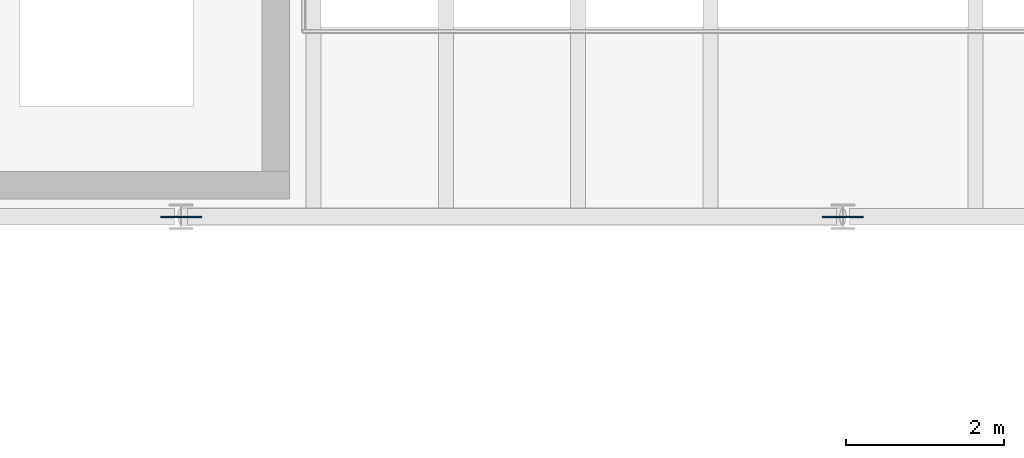
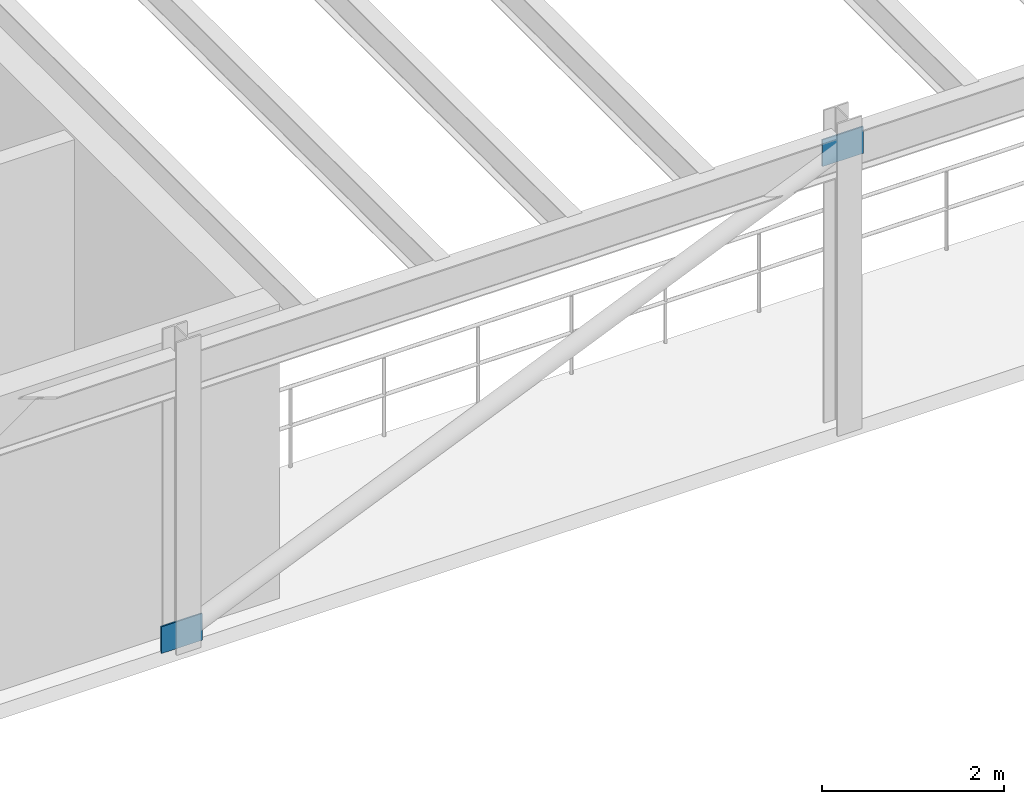
# One storey, part 18 of 26: 2 plates.
"""IFC4 building model written with IfcOpenShell, lengths in metres."""

import ifcopenshell
import ifcopenshell.guid

model = None  # the IFC model being written
_history = None  # IfcOwnerHistory: only IFC2X3 demands one
_inside = {}  # id of a spatial element -> (the spatial element, [elements in it])
_under = {}  # id of a project, library or spatial element -> (it, [spatial elements below it])
_declared = {}  # id of a project -> (the project, [libraries it declares])
_typed = {}  # id of a type object -> (the type object, [elements of that type])
_made_of = {}  # id of a material, layer set ... -> (it, [elements and type objects made of it])


def new_model(schema):
    """Start an empty IFC model of exactly this schema.

    Asked for "IFC4X3", IfcOpenShell would pick the latest addendum, in which some entities
    have other attributes; the version numbers below select the first issue.
    IFC2X3 requires an IfcOwnerHistory on every rooted entity: one is made here for all.
    """
    global model, _history
    if schema == "IFC4X3":
        model = ifcopenshell.file(schema_version=(4, 3, 0, 0))
    else:
        model = ifcopenshell.file(schema=schema)
    _inside.clear()
    _under.clear()
    _declared.clear()
    _typed.clear()
    _made_of.clear()
    _history = None
    if model.schema == "IFC2X3":
        org = make("IfcOrganization", Name="unknown")
        user = make(
            "IfcPersonAndOrganization",
            ThePerson=make("IfcPerson", FamilyName="unknown"),
            TheOrganization=org,
        )
        app = make(
            "IfcApplication",
            ApplicationDeveloper=org,
            Version="unknown",
            ApplicationFullName="unknown",
            ApplicationIdentifier="unknown",
        )
        _history = make(
            "IfcOwnerHistory",
            OwningUser=user,
            OwningApplication=app,
            ChangeAction="ADDED",
            CreationDate=0,
        )
    return model


def make(cls, **values):
    """One entity of the class cls with the attributes given. An attribute that is None is left unset."""
    return model.create_entity(
        cls, **{name: value for name, value in values.items() if value is not None}
    )


def rooted(cls, **values):
    """An entity with a GlobalId (a new one), such as an element, a storey or a relation."""
    return make(cls, GlobalId=ifcopenshell.guid.new(), OwnerHistory=_history, **values)


def si_unit(unit_type, name, prefix=None):
    """IfcSIUnit, for example si_unit("LENGTHUNIT", "METRE", prefix="MILLI")."""
    return make("IfcSIUnit", UnitType=unit_type, Prefix=prefix, Name=name)


def assignment(units):
    """IfcUnitAssignment: the units of a project."""
    return None if units is None else make("IfcUnitAssignment", Units=units)


def point(xyz):
    """IfcCartesianPoint."""
    return None if xyz is None else make("IfcCartesianPoint", Coordinates=xyz)


def direction(xyz):
    """IfcDirection."""
    return None if xyz is None else make("IfcDirection", DirectionRatios=xyz)


def frame(location, z_axis=None, x_axis=None):
    """IfcAxis2Placement3D, a coordinate frame: its origin and axes. An axis left out is left unset."""
    return make(
        "IfcAxis2Placement3D",
        Location=point(location),
        Axis=direction(z_axis),
        RefDirection=direction(x_axis),
    )


def frame_2d(location, x_axis=None):
    """IfcAxis2Placement2D, a coordinate frame in the plane: its origin and x axis."""
    return make(
        "IfcAxis2Placement2D", Location=point(location), RefDirection=direction(x_axis)
    )


def origin():
    """The frame at (0, 0, 0) with its axes left unset."""
    return frame((0.0, 0.0, 0.0))


def origin_2d():
    """The frame at (0, 0) in the plane with its x axis left unset."""
    return frame_2d((0.0, 0.0))


def place(relative_to, where):
    """IfcLocalPlacement: puts the frame where relative to a parent placement (None: the world)."""
    return make(
        "IfcLocalPlacement", PlacementRelTo=relative_to, RelativePlacement=where
    )


def context(
    kind, dimensions, precision=None, world=None, true_north=None, identifier=None
):
    """IfcGeometricRepresentationContext, for example the 3D "Model" context."""
    return make(
        "IfcGeometricRepresentationContext",
        ContextIdentifier=identifier,
        ContextType=kind,
        CoordinateSpaceDimension=dimensions,
        Precision=precision,
        WorldCoordinateSystem=world,
        TrueNorth=true_north,
    )


def subcontext(parent, identifier, kind, view, scale=None):
    """IfcGeometricRepresentationSubContext, for example "Body" below "Model"."""
    return make(
        "IfcGeometricRepresentationSubContext",
        ContextIdentifier=identifier,
        ContextType=kind,
        ParentContext=parent,
        TargetScale=scale,
        TargetView=view,
    )


def project(units=None, contexts=None):
    """IfcProject with its units and contexts."""
    return rooted(
        "IfcProject",
        Name="project",
        RepresentationContexts=contexts,
        UnitsInContext=assignment(units),
    )


def spatial(cls, under=None, at=None, **own):
    """A site, building, storey or space (cls), placed at a placement, below another one or the project."""
    s = rooted(cls, ObjectPlacement=at, **own)
    if under is not None:
        _under.setdefault(under.id(), (under, []))[1].append(s)
    return s


def profile(cls, at=None, kind="AREA", **sizes):
    """A parametric profile (cls). Its sizes go by their IFC names, for example OverallWidth=200.0."""
    return make(cls, ProfileType=kind, Position=at, **sizes)


def rectangle(**sizes):
    """IfcRectangleProfileDef."""
    return profile("IfcRectangleProfileDef", **sizes)


def extrude(swept, where, along, depth):
    """IfcExtrudedAreaSolid: the profile swept, set in the frame where, extruded along a direction by depth."""
    return make(
        "IfcExtrudedAreaSolid",
        SweptArea=swept,
        Position=where,
        ExtrudedDirection=direction(along),
        Depth=depth,
    )


def shape(context_of_items, identifier, shape_type, items):
    """IfcShapeRepresentation: the items that make up one representation, for example the "Body"."""
    return make(
        "IfcShapeRepresentation",
        ContextOfItems=context_of_items,
        RepresentationIdentifier=identifier,
        RepresentationType=shape_type,
        Items=items,
    )


def material(Name=None, Category=None):
    """IfcMaterial."""
    return make("IfcMaterial", Name=Name, Category=Category)


def layer(
    of_material, thickness, ventilated=None, Name=None, Category=None, Priority=None
):
    """IfcMaterialLayer: one layer of a wall or slab, of a material (None: an air gap)."""
    return make(
        "IfcMaterialLayer",
        Material=of_material,
        LayerThickness=thickness,
        IsVentilated=ventilated,
        Name=Name,
        Category=Category,
        Priority=Priority,
    )


def layer_set(layers, Name=None):
    """IfcMaterialLayerSet."""
    return make("IfcMaterialLayerSet", MaterialLayers=layers, LayerSetName=Name)


def made_of(thing, what):
    """Note that an element or type object is made of a material, layer set ...; save() writes the relation."""
    if what is not None:
        _made_of.setdefault(what.id(), (what, []))[1].append(thing)
    return thing


def type_object(cls, material=None, **own):
    """A type object (cls), such as IfcWallType, which elements share."""
    return made_of(rooted(cls, **own), material)


def element(
    cls,
    number,
    at=None,
    inside=None,
    cuts=None,
    type_object=None,
    material=None,
    context=None,
    identifier="Body",
    shape_type=None,
    held_by="IfcProductDefinitionShape",
    body=None,
    shapes=None,
    **own,
):
    """One element of the class cls, such as IfcWall. Its Tag is "e" and its number.

    at: its placement. inside: the storey or other place that contains it. cuts: it is an
    opening in that element (IfcRelVoidsElement). A single representation is given by context,
    identifier, shape_type and body (its items); several are given by shapes. held_by: the class
    of the entity that holds the representations. save() writes the other relations.
    """
    e = rooted(cls, Tag="e%d" % number, ObjectPlacement=at, **own)
    if body is not None:
        shapes = [shape(context, identifier, shape_type, body)]
    if shapes is not None:
        e.Representation = make(held_by, Representations=shapes)
    if inside is not None:
        _inside.setdefault(inside.id(), (inside, []))[1].append(e)
    if cuts is not None:
        rooted(
            "IfcRelVoidsElement", RelatingBuildingElement=cuts, RelatedOpeningElement=e
        )
    if type_object is not None:
        _typed.setdefault(type_object.id(), (type_object, []))[1].append(e)
    return made_of(e, material)


def aggregate(whole, parts):
    """IfcRelAggregates: a whole, such as a stair, and the parts it consists of."""
    return rooted("IfcRelAggregates", RelatingObject=whole, RelatedObjects=parts)


def save(model, path):
    """Write the relations noted so far, then the file.

    IfcRelAggregates (storeys below a building ...), IfcRelContainedInSpatialStructure (elements
    in a storey), IfcRelDefinesByType, IfcRelAssociatesMaterial and IfcRelDeclares: one each for
    every whole, place, type object, material and project.
    """
    for whole, parts in _under.values():
        aggregate(whole, parts)
    for where, things in _inside.values():
        rooted(
            "IfcRelContainedInSpatialStructure",
            RelatedElements=things,
            RelatingStructure=where,
        )
    for kind, things in _typed.values():
        rooted("IfcRelDefinesByType", RelatedObjects=things, RelatingType=kind)
    for what, things in _made_of.values():
        rooted("IfcRelAssociatesMaterial", RelatedObjects=things, RelatingMaterial=what)
    for by, libraries in _declared.values():
        rooted("IfcRelDeclares", RelatingContext=by, RelatedDefinitions=libraries)
    model.write(path)


model = new_model("IFC4")

# Units and contexts
model_context = context("Model", 3, precision=1e-05, world=origin(), true_north=direction((0.0, 1.0)))
body_context = subcontext(model_context, "Body", "Model", "MODEL_VIEW")
ifc_project = project(units=[si_unit("LENGTHUNIT", "METRE"), si_unit("AREAUNIT", "SQUARE_METRE"), si_unit("VOLUMEUNIT", "CUBIC_METRE"), si_unit("PLANEANGLEUNIT", "RADIAN"), si_unit("MASSUNIT", "GRAM", prefix="KILO")], contexts=[model_context])

# Site, building, storey
site_placement = place(None, origin())
site = spatial("IfcSite", under=ifc_project, at=site_placement, CompositionType="ELEMENT")
building_placement = place(site_placement, origin())
building = spatial("IfcBuilding", under=site, at=building_placement, Name="Selat Folded Stagehouse", CompositionType="ELEMENT")
storey_placement = place(building_placement, frame((0.0, 0.0, 23.39990234375)))
storey = spatial("IfcBuildingStorey", under=building, at=storey_placement, Name="L05", CompositionType="ELEMENT", Elevation=23.39990234375)

# Plates
ifc_material = material(Name="Steel S355", Category="steel")
ifc_layer = layer(ifc_material, 0.01806640625)
ifc_layer_set = layer_set([ifc_layer], Name="Steel S355")
plate_type = type_object("IfcPlateType", Name="PLT-GUSSET-520x360x18", PredefinedType="USERDEFINED", material=ifc_layer_set)
for number, where, z_axis, x_axis, name in (
    (1, (42.0, 23.39990234375, -0.02978515625), (0.0, 0.0, 1.0), (1.0, 0.0, 0.0), "L05 VBR-06 end gusset plate 59"),
    (2, (50.39990234375, 23.39990234375, 3.56982421875), (0.0, 0.0, 1.0), (1.0, 0.0, 0.0), "L05 VBR-06 end gusset plate 60"),
):
    element("IfcPlate", number, at=place(storey_placement, frame(where, z_axis=z_axis, x_axis=x_axis)), inside=storey, type_object=plate_type, Name=name, ObjectType="GUSSET_PLATE", PredefinedType="USERDEFINED", context=body_context, shape_type="SweptSolid", body=[
        extrude(rectangle(XDim=0.52001953125, YDim=0.01806640625, at=origin_2d()), origin(), (0.0, 0.0, 1.0), 0.360107421875),
    ])

save(model, "model.ifc")
